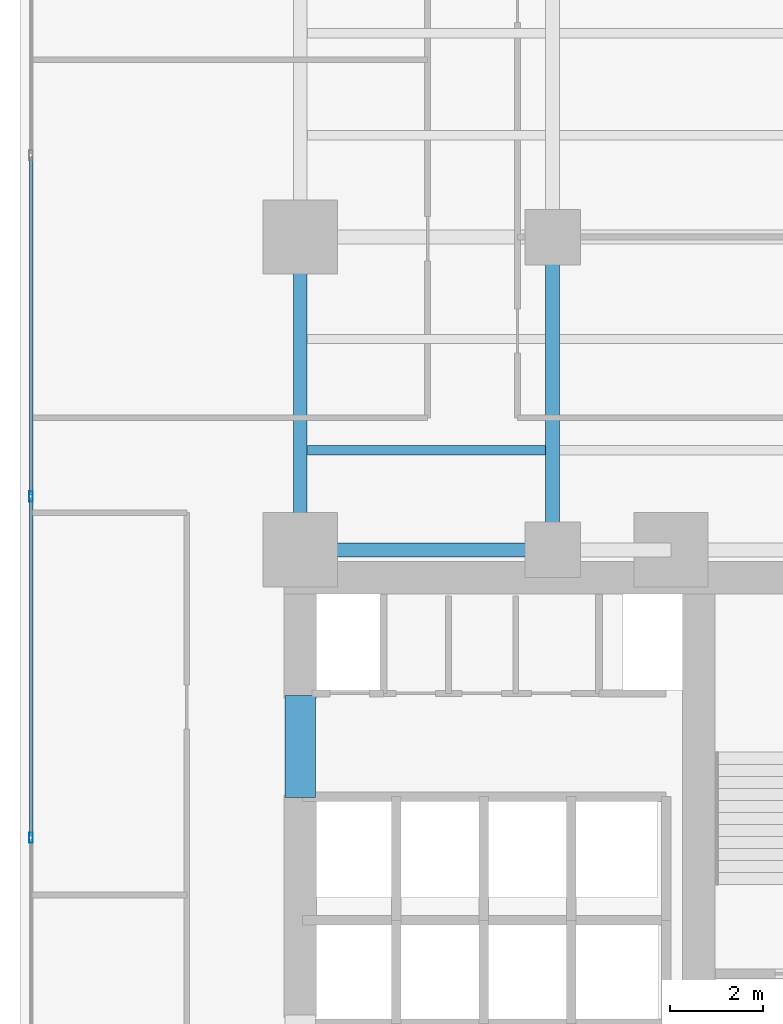
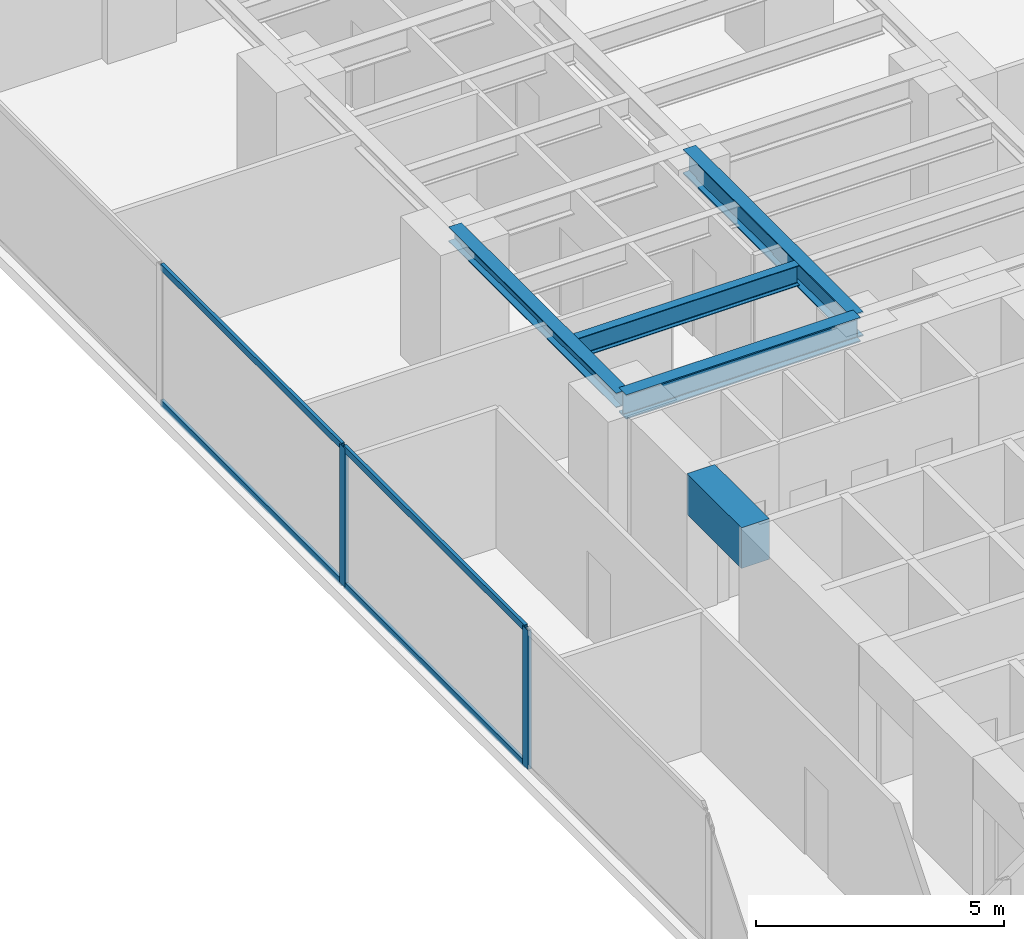
# One storey, part 6 of 28: 6 members, 5 beams, 1 element without a shape of its own.
"""IFC4 building model written with IfcOpenShell, lengths in metres."""

from ifc_helpers import new_model, si_unit, direction, frame, origin, origin_with_axes, origin_2d, place, context, subcontext, project, spatial, rectangle, hollow_rectangle, i_section, extrude, source, transform, mapped, material, layer, layer_set, material_profile, profile_set, type_object, element, aggregate, save


model = new_model("IFC4")

# Units and contexts
model_context = context("Model", 3, precision=1e-05, world=origin(), true_north=direction((0.0, 1.0)))
body_context = subcontext(model_context, "Body", "Model", "MODEL_VIEW")
ifc_project = project(units=[si_unit("LENGTHUNIT", "METRE"), si_unit("AREAUNIT", "SQUARE_METRE"), si_unit("VOLUMEUNIT", "CUBIC_METRE"), si_unit("PLANEANGLEUNIT", "RADIAN"), si_unit("MASSUNIT", "GRAM", prefix="KILO")], contexts=[model_context])

# Site, building, storey
site_placement = place(None, origin())
site = spatial("IfcSite", under=ifc_project, at=site_placement, CompositionType="ELEMENT")
building_placement = place(site_placement, origin())
building = spatial("IfcBuilding", under=site, at=building_placement, Name="Kolvaren Waterfront Exchange", CompositionType="ELEMENT")
storey_placement = place(building_placement, frame((0.0, 0.0, 79.0)))
storey = spatial("IfcBuildingStorey", under=building, at=storey_placement, Name="L20", CompositionType="ELEMENT", Elevation=79.0)

# Beams
ifc_material_1 = material(Name="Steel S355", Category="steel")
ifc_material_profile_1 = material_profile(ifc_material_1, i_section(OverallWidth=0.300048828125, OverallDepth=0.360107421875, WebThickness=0.012451171875, FlangeThickness=0.0224609375, FilletRadius=0.027099609375, at=origin_2d()), Name="HEB360")
ifc_profile_set_1 = profile_set([ifc_material_profile_1], Name="Steel S355")
beam_type_1 = type_object("IfcBeamType", Name="STR-BM-HEB360", PredefinedType="SPANDREL", material=ifc_profile_set_1)
beam_1_placement = place(storey_placement, frame((7.449951171875, 24.449951171875, 3.239990234375), z_axis=(0.0, 1.0, 0.0), x_axis=(-1.0, 0.0, 0.0)))
element("IfcBeam", 1, at=beam_1_placement, inside=storey, type_object=beam_type_1, Name="L20 north-arm edge beam 1", PredefinedType="SPANDREL", context=body_context, shape_type="SweptSolid", body=[
    extrude(i_section(OverallWidth=0.300048828125, OverallDepth=0.360107421875, WebThickness=0.012451171875, FlangeThickness=0.0224609375, FilletRadius=0.027099609375, at=origin_2d()), origin(), (0.0, 0.0, 1.0), 6.75),
])
ifc_material_profile_2 = material_profile(ifc_material_1, i_section(OverallWidth=0.300048828125, OverallDepth=0.60009765625, WebThickness=0.015380859375, FlangeThickness=0.030029296875, FilletRadius=0.027099609375, at=origin_2d()), Name="HEB600")
ifc_profile_set_2 = profile_set([ifc_material_profile_2], Name="Steel S355")
beam_type_2 = type_object("IfcBeamType", Name="STR-BM-HEB600", PredefinedType="BEAM", material=ifc_profile_set_2)
beam_2_placement = place(storey_placement, frame((7.449951171875, 24.449951171875, 3.1201171875), z_axis=(1.0, 0.0, 0.0), x_axis=(0.0, 1.0, 0.0)))
element("IfcBeam", 2, at=beam_2_placement, inside=storey, type_object=beam_type_2, Name="L20 north-arm girder 1A", PredefinedType="BEAM", context=body_context, shape_type="SweptSolid", body=[
    extrude(i_section(OverallWidth=0.300048828125, OverallDepth=0.60009765625, WebThickness=0.015380859375, FlangeThickness=0.030029296875, FilletRadius=0.027099609375, at=origin_2d()), origin(), (0.0, 0.0, 1.0), 5.449951171875),
])
beam_3_placement = place(storey_placement, frame((12.89990234375, 24.449951171875, 3.1201171875), z_axis=(0.0, 1.0, 0.0), x_axis=(-1.0, 0.0, 0.0)))
element("IfcBeam", 3, at=beam_3_placement, inside=storey, type_object=beam_type_2, Name="L20 north-arm edge beam 1", PredefinedType="BEAM", context=body_context, shape_type="SweptSolid", body=[
    extrude(i_section(OverallWidth=0.300048828125, OverallDepth=0.60009765625, WebThickness=0.015380859375, FlangeThickness=0.030029296875, FilletRadius=0.027099609375, at=origin_2d()), origin(), (0.0, 0.0, 1.0), 6.75),
])
ifc_material_profile_3 = material_profile(ifc_material_1, i_section(OverallWidth=0.199951171875, OverallDepth=0.5, WebThickness=0.01025390625, FlangeThickness=0.01611328125, FilletRadius=0.02099609375, at=origin_2d()), Name="IPE500")
ifc_profile_set_3 = profile_set([ifc_material_profile_3], Name="Steel S355")
beam_type_3 = type_object("IfcBeamType", Name="STR-BM-IPE500", PredefinedType="JOIST", material=ifc_profile_set_3)
beam_4_placement = place(storey_placement, frame((7.60205078125, 26.60009765625, 3.169921875), z_axis=(1.0, 0.0, 0.0), x_axis=(0.0, 1.0, 0.0)))
element("IfcBeam", 4, at=beam_4_placement, inside=storey, type_object=beam_type_3, Name="L20 north-arm composite joist 1A", PredefinedType="JOIST", context=body_context, shape_type="SweptSolid", body=[
    extrude(i_section(OverallWidth=0.199951171875, OverallDepth=0.5, WebThickness=0.01025390625, FlangeThickness=0.01611328125, FilletRadius=0.02099609375, at=origin_2d()), origin(), (0.0, 0.0, 1.0), 5.14599609375),
])
ifc_material_2 = material(Name="Concrete C60/75", Category="concrete")
ifc_material_profile_4 = material_profile(ifc_material_2, rectangle(XDim=0.64990234375, YDim=1.0, at=origin_2d()), Name="RC-CB-1000x650")
ifc_profile_set_4 = profile_set([ifc_material_profile_4], Name="Concrete C60/75")
beam_type_4 = type_object("IfcBeamType", Name="STR-CB-1000", PredefinedType="SPANDREL", material=ifc_profile_set_4)
beam_5_placement = place(storey_placement, frame((7.449951171875, 19.10009765625, 2.919921875), z_axis=(0.0, 1.0, 0.0), x_axis=(-1.0, 0.0, 0.0)))
element("IfcBeam", 5, at=beam_5_placement, inside=storey, type_object=beam_type_4, Name="L20 core coupling beam 5", PredefinedType="SPANDREL", context=body_context, shape_type="SweptSolid", body=[
    extrude(rectangle(XDim=0.64990234375, YDim=1.0, at=origin_2d()), origin(), (0.0, 0.0, 1.0), 2.199951171875),
])

# Curtain wall, members
ifc_material_3 = material(Name="Anodised aluminium 6063-T6", Category="aluminium")
ifc_layer = layer(ifc_material_3, 0.219970703125, Name="Anodised aluminium 6063-T6")
ifc_layer_set = layer_set([ifc_layer], Name="Anodised aluminium 6063-T6")
curtain_wall_type = type_object("IfcCurtainWallType", Name="ARC-CW-SYS2", PredefinedType="USERDEFINED", material=ifc_layer_set)
curtain_wall_placement = place(storey_placement, origin())
curtain_wall = element("IfcCurtainWall", 6, at=curtain_wall_placement, inside=storey, type_object=curtain_wall_type, Name="L20 stick curtain wall CW2 (CW-L20-W)", ObjectType="STICK CURTAIN WALL", PredefinedType="USERDEFINED")
ifc_material_profile_5 = material_profile(ifc_material_3, hollow_rectangle(XDim=0.074951171875, YDim=0.159912109375, WallThickness=0.00439453125, at=origin_2d()), Name="ALU-TRN-160x75x4.5")
ifc_profile_set_5 = profile_set([ifc_material_profile_5], Name="Anodised aluminium 6063-T6")
member_type_1 = type_object("IfcMemberType", Name="ARC-CWT-160", PredefinedType="USERDEFINED", material=ifc_profile_set_5)
shared_shape_1 = source(origin_with_axes(), body_context, "Body", "SweptSolid", [
    extrude(hollow_rectangle(XDim=0.074951171875, YDim=0.159912109375, WallThickness=0.00439453125, at=origin_2d()), origin(), (0.0, 0.0, 1.0), 7.28662109375),
])
member_1_placement = place(storey_placement, frame((1.639892578125, 18.2734375, 0.03759765625), z_axis=(0.0, 1.0, 0.0), x_axis=(-1.0, 0.0, 0.0)))
member_1 = element("IfcMember", 7, at=member_1_placement, type_object=member_type_1, Name="CW2 transom 3.1", ObjectType="TRANSOM", PredefinedType="USERDEFINED", context=body_context, shape_type="MappedRepresentation", body=[
    mapped(shared_shape_1, transform((0.0, 0.0, 0.0), x_axis=(1.0, 0.0, 0.0), y_axis=(0.0, 1.0, 0.0), z_axis=(0.0, 0.0, 1.0), scale=1.0)),
])
member_2_placement = place(storey_placement, frame((1.639892578125, 18.2734375, 3.382568359375), z_axis=(0.0, 1.0, 0.0), x_axis=(-1.0, 0.0, 0.0)))
member_2 = element("IfcMember", 8, at=member_2_placement, type_object=member_type_1, Name="CW2 transom 3.2", ObjectType="TRANSOM", PredefinedType="USERDEFINED", context=body_context, shape_type="MappedRepresentation", body=[
    mapped(shared_shape_1, transform((0.0, 0.0, 0.0), x_axis=(1.0, 0.0, 0.0), y_axis=(0.0, 1.0, 0.0), z_axis=(0.0, 0.0, 1.0), scale=1.0)),
])
shared_shape_2 = source(origin_with_axes(), body_context, "Body", "SweptSolid", [
    extrude(hollow_rectangle(XDim=0.074951171875, YDim=0.159912109375, WallThickness=0.00439453125, at=origin_2d()), origin(), (0.0, 0.0, 1.0), 7.286865234375),
])
member_3_placement = place(storey_placement, frame((1.639892578125, 25.639892578125, 0.03759765625), z_axis=(0.0, 1.0, 0.0), x_axis=(-1.0, 0.0, 0.0)))
member_3 = element("IfcMember", 9, at=member_3_placement, type_object=member_type_1, Name="CW2 transom 4.1", ObjectType="TRANSOM", PredefinedType="USERDEFINED", context=body_context, shape_type="MappedRepresentation", body=[
    mapped(shared_shape_2, transform((0.0, 0.0, 0.0), x_axis=(1.0, 0.0, 0.0), y_axis=(0.0, 1.0, 0.0), z_axis=(0.0, 0.0, 1.0), scale=1.0)),
])
member_4_placement = place(storey_placement, frame((1.639892578125, 25.639892578125, 3.382568359375), z_axis=(0.0, 1.0, 0.0), x_axis=(-1.0, 0.0, 0.0)))
member_4 = element("IfcMember", 10, at=member_4_placement, type_object=member_type_1, Name="CW2 transom 4.2", ObjectType="TRANSOM", PredefinedType="USERDEFINED", context=body_context, shape_type="MappedRepresentation", body=[
    mapped(shared_shape_2, transform((0.0, 0.0, 0.0), x_axis=(1.0, 0.0, 0.0), y_axis=(0.0, 1.0, 0.0), z_axis=(0.0, 0.0, 1.0), scale=1.0)),
])
ifc_material_profile_6 = material_profile(ifc_material_3, hollow_rectangle(XDim=0.080078125, YDim=0.219970703125, WallThickness=0.0048828125, at=origin_2d()), Name="ALU-MUL-220x80x5")
ifc_profile_set_6 = profile_set([ifc_material_profile_6], Name="Anodised aluminium 6063-T6")
member_type_2 = type_object("IfcMemberType", Name="ARC-CWM-220", PredefinedType="MULLION", material=ifc_profile_set_6)
shared_shape_3 = source(origin_with_axes(), body_context, "Body", "SweptSolid", [
    extrude(hollow_rectangle(XDim=0.080078125, YDim=0.219970703125, WallThickness=0.0048828125, at=origin_2d()), origin(), (0.0, 0.0, 1.0), 3.419921875),
])
member_5_placement = place(storey_placement, frame((1.639892578125, 18.2333984375, 0.0), z_axis=(0.0, 0.0, 1.0), x_axis=(-1.0, 0.0, 0.0)))
member_5 = element("IfcMember", 11, at=member_5_placement, type_object=member_type_2, Name="CW2 mullion 3", PredefinedType="MULLION", context=body_context, shape_type="MappedRepresentation", body=[
    mapped(shared_shape_3, transform((0.0, 0.0, 0.0), x_axis=(1.0, 0.0, 0.0), y_axis=(0.0, 1.0, 0.0), z_axis=(0.0, 0.0, 1.0), scale=1.0)),
])
member_6_placement = place(storey_placement, frame((1.639892578125, 25.60009765625, 0.0), z_axis=(0.0, 0.0, 1.0), x_axis=(-1.0, 0.0, 0.0)))
member_6 = element("IfcMember", 12, at=member_6_placement, type_object=member_type_2, Name="CW2 mullion 4", PredefinedType="MULLION", context=body_context, shape_type="MappedRepresentation", body=[
    mapped(shared_shape_3, transform((0.0, 0.0, 0.0), x_axis=(1.0, 0.0, 0.0), y_axis=(0.0, 1.0, 0.0), z_axis=(0.0, 0.0, 1.0), scale=1.0)),
])
aggregate(curtain_wall, [member_5, member_6, member_1, member_2, member_3, member_4])

save(model, "model.ifc")
